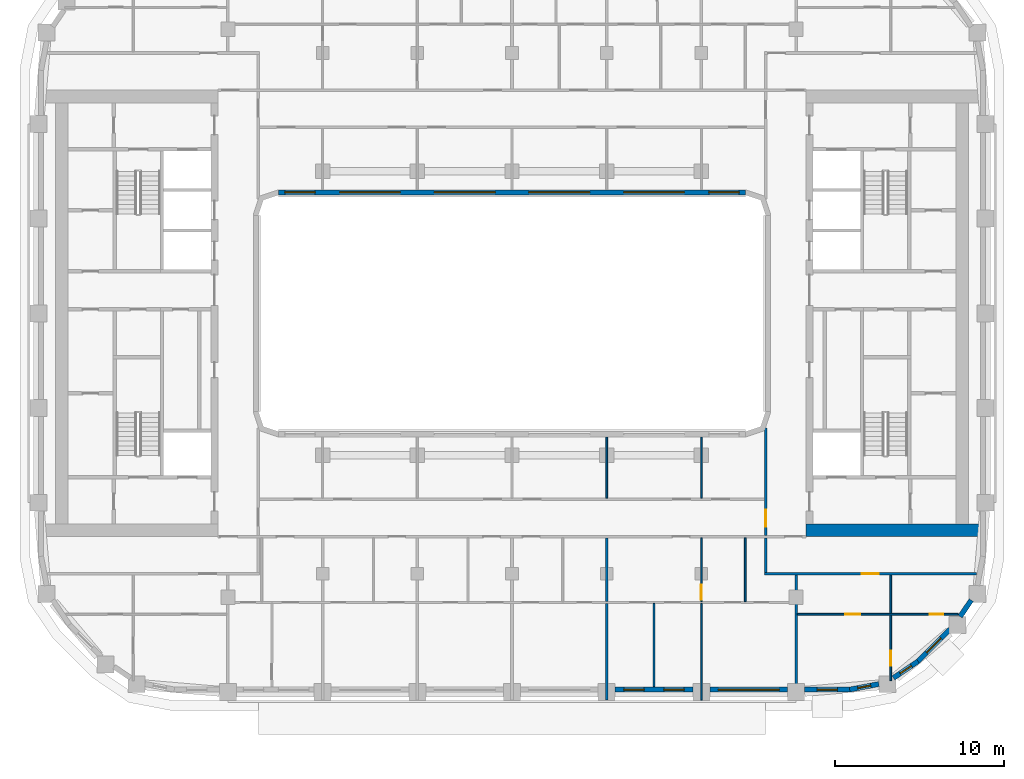
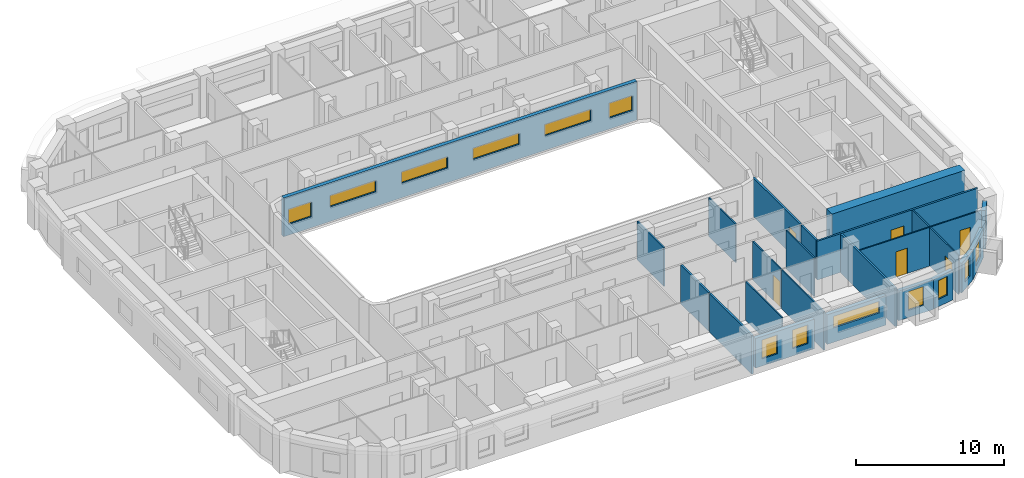
# One storey, part 5 of 22: 24 walls, 13 windows, 6 doors, 19 openings.
"""IFC4 building model written with IfcOpenShell, lengths in metres."""

from ifc_helpers import new_model, si_unit, direction, frame, frame_2d, origin, place, context, subcontext, project, spatial, rectangle, extrude, material, layer, layer_set, type_object, element, fill, save


model = new_model("IFC4")

# Units and contexts
model_context = context("Model", 3, precision=1e-05, world=origin(), true_north=direction((0.0, 1.0)))
body_context = subcontext(model_context, "Body", "Model", "MODEL_VIEW")
ifc_project = project(units=[si_unit("LENGTHUNIT", "METRE"), si_unit("AREAUNIT", "SQUARE_METRE"), si_unit("VOLUMEUNIT", "CUBIC_METRE"), si_unit("PLANEANGLEUNIT", "RADIAN"), si_unit("MASSUNIT", "GRAM", prefix="KILO")], contexts=[model_context])

# Site, building, storey
site_placement = place(None, origin())
site = spatial("IfcSite", under=ifc_project, at=site_placement, CompositionType="ELEMENT")
building_placement = place(site_placement, origin())
building = spatial("IfcBuilding", under=site, at=building_placement, Name="Kiln Ring Residences", CompositionType="ELEMENT")
storey_placement = place(building_placement, frame((0.0, 0.0, 164.10009765625)))
storey = spatial("IfcBuildingStorey", under=building, at=storey_placement, Name="L42", CompositionType="ELEMENT", Elevation=164.10009765625)

# Wall
ifc_material_1 = material(Name="Concrete C60/75", Category="concrete")
ifc_layer_1 = layer(ifc_material_1, 0.75)
ifc_layer_set_1 = layer_set([ifc_layer_1], Name="CORE-WALL-RC750")
wall_type_1 = type_object("IfcWallType", Name="CORE-WALL-RC750", PredefinedType="SHEAR", material=ifc_layer_set_1)
wall_1_placement = place(storey_placement, frame((17.39990234375, -12.824951171875, 0.0), z_axis=(0.0, 0.0, 1.0), x_axis=(1.0, 0.0, 0.0)))
element("IfcWall", 1, at=wall_1_placement, inside=storey, type_object=wall_type_1, Name="Core wall east L42 5", PredefinedType="SHEAR", context=body_context, shape_type="SweptSolid", body=[
    extrude(rectangle(XDim=10.400146484375, YDim=0.75, at=frame_2d((5.2001953125, 0.0))), origin(), (0.0, 0.0, 1.0), 3.199951171875),
])

# Wall, openings, windows
ifc_material_2 = material(Name="Brick masonry, dark clay brick", Category="masonry")
ifc_layer_2 = layer(ifc_material_2, 0.300048828125)
ifc_layer_set_2 = layer_set([ifc_layer_2], Name="EW-300 BRICK WALL")
wall_type_2 = type_object("IfcWallType", Name="EW-300 BRICK WALL", PredefinedType="SOLIDWALL", material=ifc_layer_set_2)
wall_2_placement = place(storey_placement, frame((6.10009765625, -22.25, 0.0), z_axis=(0.0, 0.0, 1.0), x_axis=(1.0, 0.0, 0.0)))
wall_2 = element("IfcWall", 2, at=wall_2_placement, inside=storey, type_object=wall_type_2, Name="Facade wall L42 9", PredefinedType="SOLIDWALL", context=body_context, shape_type="SweptSolid", body=[
    extrude(rectangle(XDim=4.599853515625, YDim=0.300048828125, at=frame_2d((2.2998046875, 0.0))), origin(), (0.0, 0.0, 1.0), 2.449951171875),
])
opening_1_placement = place(wall_2_placement, frame((0.512451171875, 0.0, 0.60009765625)))
opening_1 = element("IfcOpeningElement", 3, at=opening_1_placement, cuts=wall_2, Name="Opening W1", PredefinedType="OPENING", context=body_context, shape_type="SweptSolid", body=[
    extrude(rectangle(XDim=1.199951171875, YDim=1.550048828125, at=frame_2d((0.60009765625, 0.77490234375))), frame((0.0, 0.159912109375, 0.0), z_axis=(0.0, -1.0, 0.0), x_axis=(1.0, 0.0, 0.0)), (0.0, 0.0, 1.0), 0.320068359375),
])
opening_2_placement = place(wall_2_placement, frame((2.887451171875, 0.0, 0.60009765625)))
opening_2 = element("IfcOpeningElement", 4, at=opening_2_placement, cuts=wall_2, Name="Opening W1", PredefinedType="OPENING", context=body_context, shape_type="SweptSolid", body=[
    extrude(rectangle(XDim=1.199951171875, YDim=1.550048828125, at=frame_2d((0.60009765625, 0.77490234375))), frame((0.0, 0.159912109375, 0.0), z_axis=(0.0, -1.0, 0.0), x_axis=(1.0, 0.0, 0.0)), (0.0, 0.0, 1.0), 0.320068359375),
])
ifc_material_3 = material(Name="Aluminium frame with double glazing", Category="aluminium")
window_type_1 = type_object("IfcWindowType", Name="WINDOW 1200 x 1550", PartitioningType="SINGLE_PANEL", PredefinedType="WINDOW", material=ifc_material_3)
window_1_placement = place(opening_1_placement, origin())
window_1 = element("IfcWindow", 5, at=window_1_placement, inside=storey, type_object=window_type_1, Name="Window L42 9", OverallHeight=1.550048828125, OverallWidth=1.199951171875, PartitioningType="SINGLE_PANEL", PredefinedType="WINDOW", context=body_context, shape_type="SweptSolid", body=[
    extrude(rectangle(XDim=1.199951171875, YDim=1.550048828125, at=frame_2d((0.60009765625, 0.77490234375))), frame((0.0, 0.030029296875, 0.0), z_axis=(0.0, -1.0, 0.0), x_axis=(1.0, 0.0, 0.0)), (0.0, 0.0, 1.0), 0.06005859375),
])
fill(opening_1, window_1)
window_2_placement = place(opening_2_placement, origin())
window_2 = element("IfcWindow", 6, at=window_2_placement, inside=storey, type_object=window_type_1, Name="Window L42 10", OverallHeight=1.550048828125, OverallWidth=1.199951171875, PartitioningType="SINGLE_PANEL", PredefinedType="WINDOW", context=body_context, shape_type="SweptSolid", body=[
    extrude(rectangle(XDim=1.199951171875, YDim=1.550048828125, at=frame_2d((0.60009765625, 0.77490234375))), frame((0.0, 0.030029296875, 0.0), z_axis=(0.0, -1.0, 0.0), x_axis=(1.0, 0.0, 0.0)), (0.0, 0.0, 1.0), 0.06005859375),
])
fill(opening_2, window_2)

# Wall, opening, window
wall_3_placement = place(storey_placement, frame((11.699951171875, -22.25, 0.0), z_axis=(0.0, 0.0, 1.0), x_axis=(1.0, 0.0, 0.0)))
wall_3 = element("IfcWall", 7, at=wall_3_placement, inside=storey, type_object=wall_type_2, Name="Facade wall L42 10", PredefinedType="SOLIDWALL", context=body_context, shape_type="SweptSolid", body=[
    extrude(rectangle(XDim=4.60009765625, YDim=0.300048828125, at=frame_2d((2.300048828125, 0.0))), origin(), (0.0, 0.0, 1.0), 2.449951171875),
])
opening_3_placement = place(wall_3_placement, frame((0.5, 0.0, 1.199951171875)))
opening_3 = element("IfcOpeningElement", 8, at=opening_3_placement, cuts=wall_3, Name="Opening W4", PredefinedType="OPENING", context=body_context, shape_type="SweptSolid", body=[
    extrude(rectangle(XDim=3.60009765625, YDim=0.949951171875, at=frame_2d((1.800048828125, 0.47509765625))), frame((0.0, 0.159912109375, 0.0), z_axis=(0.0, -1.0, 0.0), x_axis=(1.0, 0.0, 0.0)), (0.0, 0.0, 1.0), 0.320068359375),
])
ifc_material_4 = material(Name="Aluminium frame with double glazing", Category="aluminium")
window_type_2 = type_object("IfcWindowType", Name="WINDOW 3600 x 950", PartitioningType="SINGLE_PANEL", PredefinedType="WINDOW", material=ifc_material_4)
window_3_placement = place(opening_3_placement, origin())
window_3 = element("IfcWindow", 9, at=window_3_placement, inside=storey, type_object=window_type_2, Name="Window L42 11", OverallHeight=0.949951171875, OverallWidth=3.60009765625, PartitioningType="SINGLE_PANEL", PredefinedType="WINDOW", context=body_context, shape_type="SweptSolid", body=[
    extrude(rectangle(XDim=3.60009765625, YDim=0.949951171875, at=frame_2d((1.800048828125, 0.47509765625))), frame((0.0, 0.030029296875, 0.0), z_axis=(0.0, -1.0, 0.0), x_axis=(1.0, 0.0, 0.0)), (0.0, 0.0, 1.0), 0.06005859375),
])
fill(opening_3, window_3)

wall_4_placement = place(storey_placement, frame((17.300048828125, -22.25, 0.0), z_axis=(0.0, 0.0, 1.0), x_axis=(1.0, 0.0, 0.0)))
wall_4 = element("IfcWall", 10, at=wall_4_placement, inside=storey, type_object=wall_type_2, Name="Facade wall L42 11", PredefinedType="SOLIDWALL", context=body_context, shape_type="SweptSolid", body=[
    extrude(rectangle(XDim=2.699951171875, YDim=0.300048828125, at=frame_2d((1.35009765625, 0.0))), origin(), (0.0, 0.0, 1.0), 2.449951171875),
])
opening_4_placement = place(wall_4_placement, frame((0.75, 0.0, 0.60009765625)))
opening_4 = element("IfcOpeningElement", 11, at=opening_4_placement, cuts=wall_4, Name="Opening W1", PredefinedType="OPENING", context=body_context, shape_type="SweptSolid", body=[
    extrude(rectangle(XDim=1.199951171875, YDim=1.550048828125, at=frame_2d((0.60009765625, 0.77490234375))), frame((0.0, 0.159912109375, 0.0), z_axis=(0.0, -1.0, 0.0), x_axis=(1.0, 0.0, 0.0)), (0.0, 0.0, 1.0), 0.320068359375),
])
window_4_placement = place(opening_4_placement, origin())
window_4 = element("IfcWindow", 12, at=window_4_placement, inside=storey, type_object=window_type_1, Name="Window L42 12", OverallHeight=1.550048828125, OverallWidth=1.199951171875, PartitioningType="SINGLE_PANEL", PredefinedType="WINDOW", context=body_context, shape_type="SweptSolid", body=[
    extrude(rectangle(XDim=1.199951171875, YDim=1.550048828125, at=frame_2d((0.60009765625, 0.77490234375))), frame((0.0, 0.030029296875, 0.0), z_axis=(0.0, -1.0, 0.0), x_axis=(1.0, 0.0, 0.0)), (0.0, 0.0, 1.0), 0.06005859375),
])
fill(opening_4, window_4)

wall_5_placement = place(storey_placement, frame((19.971923828125, -22.252685546875, 0.0), z_axis=(0.0, 0.0, 1.0), x_axis=(0.982284988433, 0.187393173565, 0.0)))
wall_5 = element("IfcWall", 13, at=wall_5_placement, inside=storey, type_object=wall_type_2, Name="Facade wall L42 12", PredefinedType="SOLIDWALL", context=body_context, shape_type="SweptSolid", body=[
    extrude(rectangle(XDim=1.756103515625, YDim=0.300048828125, at=frame_2d((0.8779296875, 0.0))), origin(), (0.0, 0.0, 1.0), 2.449951171875),
])
opening_5_placement = place(wall_5_placement, frame((0.47802734375, 0.0, 0.60009765625)))
opening_5 = element("IfcOpeningElement", 14, at=opening_5_placement, cuts=wall_5, Name="Opening W5", PredefinedType="OPENING", context=body_context, shape_type="SweptSolid", body=[
    extrude(rectangle(XDim=0.800048828125, YDim=1.550048828125, at=frame_2d((0.39990234375, 0.77490234375))), frame((0.0, 0.159912109375, 0.0), z_axis=(0.0, -1.0, 0.0), x_axis=(1.0, 0.0, 0.0)), (0.0, 0.0, 1.0), 0.320068359375),
])
ifc_material_5 = material(Name="Aluminium frame with double glazing", Category="aluminium")
window_type_3 = type_object("IfcWindowType", Name="WINDOW 800 x 1550", PartitioningType="SINGLE_PANEL", PredefinedType="WINDOW", material=ifc_material_5)
window_5_placement = place(opening_5_placement, origin())
window_5 = element("IfcWindow", 15, at=window_5_placement, inside=storey, type_object=window_type_3, Name="Window L42 13", OverallHeight=1.550048828125, OverallWidth=0.800048828125, PartitioningType="SINGLE_PANEL", PredefinedType="WINDOW", context=body_context, shape_type="SweptSolid", body=[
    extrude(rectangle(XDim=0.800048828125, YDim=1.550048828125, at=frame_2d((0.39990234375, 0.77490234375))), frame((0.0, 0.030029296875, 0.0), z_axis=(0.0, -1.0, 0.0), x_axis=(1.0, 0.0, 0.0)), (0.0, 0.0, 1.0), 0.06005859375),
])
fill(opening_5, window_5)

wall_6_placement = place(storey_placement, frame((22.560302734375, -21.56591796875, 0.0), z_axis=(0.0, 0.0, 1.0), x_axis=(0.82707645233, 0.562089443061, 0.0)))
wall_6 = element("IfcWall", 16, at=wall_6_placement, inside=storey, type_object=wall_type_2, Name="Facade wall L42 13", PredefinedType="SOLIDWALL", context=body_context, shape_type="SweptSolid", body=[
    extrude(rectangle(XDim=1.756103515625, YDim=0.300048828125, at=frame_2d((0.8779296875, 0.0))), origin(), (0.0, 0.0, 1.0), 2.449951171875),
])
opening_6_placement = place(wall_6_placement, frame((0.47802734375, 0.0, 0.60009765625)))
opening_6 = element("IfcOpeningElement", 17, at=opening_6_placement, cuts=wall_6, Name="Opening W5", PredefinedType="OPENING", context=body_context, shape_type="SweptSolid", body=[
    extrude(rectangle(XDim=0.800048828125, YDim=1.550048828125, at=frame_2d((0.39990234375, 0.77490234375))), frame((0.0, 0.159912109375, 0.0), z_axis=(0.0, -1.0, 0.0), x_axis=(1.0, 0.0, 0.0)), (0.0, 0.0, 1.0), 0.320068359375),
])
window_6_placement = place(opening_6_placement, origin())
window_6 = element("IfcWindow", 18, at=window_6_placement, inside=storey, type_object=window_type_3, Name="Window L42 14", OverallHeight=1.550048828125, OverallWidth=0.800048828125, PartitioningType="SINGLE_PANEL", PredefinedType="WINDOW", context=body_context, shape_type="SweptSolid", body=[
    extrude(rectangle(XDim=0.800048828125, YDim=1.550048828125, at=frame_2d((0.39990234375, 0.77490234375))), frame((0.0, 0.030029296875, 0.0), z_axis=(0.0, -1.0, 0.0), x_axis=(1.0, 0.0, 0.0)), (0.0, 0.0, 1.0), 0.06005859375),
])
fill(opening_6, window_6)

wall_7_placement = place(storey_placement, frame((23.990966796875, -20.596923828125, 0.0), z_axis=(0.0, 0.0, 1.0), x_axis=(0.707106781187, 0.707106781187, 0.0)))
wall_7 = element("IfcWall", 19, at=wall_7_placement, inside=storey, type_object=wall_type_2, Name="Facade wall L42 14", PredefinedType="SOLIDWALL", context=body_context, shape_type="SweptSolid", body=[
    extrude(rectangle(XDim=2.699951171875, YDim=0.300048828125, at=frame_2d((1.35009765625, 0.0))), origin(), (0.0, 0.0, 1.0), 2.449951171875),
])
opening_7_placement = place(wall_7_placement, frame((0.75, 0.0, 0.60009765625)))
opening_7 = element("IfcOpeningElement", 20, at=opening_7_placement, cuts=wall_7, Name="Opening W1", PredefinedType="OPENING", context=body_context, shape_type="SweptSolid", body=[
    extrude(rectangle(XDim=1.199951171875, YDim=1.550048828125, at=frame_2d((0.60009765625, 0.77490234375))), frame((0.0, 0.159912109375, 0.0), z_axis=(0.0, -1.0, 0.0), x_axis=(1.0, 0.0, 0.0)), (0.0, 0.0, 1.0), 0.320068359375),
])
window_7_placement = place(opening_7_placement, origin())
window_7 = element("IfcWindow", 21, at=window_7_placement, inside=storey, type_object=window_type_1, Name="Window L42 15", OverallHeight=1.550048828125, OverallWidth=1.199951171875, PartitioningType="SINGLE_PANEL", PredefinedType="WINDOW", context=body_context, shape_type="SweptSolid", body=[
    extrude(rectangle(XDim=1.199951171875, YDim=1.550048828125, at=frame_2d((0.60009765625, 0.77490234375))), frame((0.0, 0.030029296875, 0.0), z_axis=(0.0, -1.0, 0.0), x_axis=(1.0, 0.0, 0.0)), (0.0, 0.0, 1.0), 0.06005859375),
])
fill(opening_7, window_7)

# Wall
wall_8_placement = place(storey_placement, frame((26.50439453125, -17.933837890625, 0.0), z_axis=(0.0, 0.0, 1.0), x_axis=(0.562145470373, 0.827038372833, 0.0)))
element("IfcWall", 22, at=wall_8_placement, inside=storey, type_object=wall_type_2, Name="Facade wall L42 15", PredefinedType="SOLIDWALL", context=body_context, shape_type="SweptSolid", body=[
    extrude(rectangle(XDim=1.177001953125, YDim=0.300048828125, at=frame_2d((0.58837890625, 0.0))), origin(), (0.0, 0.0, 1.0), 3.199951171875),
])

# Wall, openings, windows
wall_9_placement = place(storey_placement, frame((-13.800048828125, 7.14990234375, 0.0), z_axis=(0.0, 0.0, 1.0), x_axis=(1.0, 0.0, 0.0)))
wall_9 = element("IfcWall", 23, at=wall_9_placement, inside=storey, type_object=wall_type_2, Name="Facade wall L42 50", PredefinedType="SOLIDWALL", context=body_context, shape_type="SweptSolid", body=[
    extrude(rectangle(XDim=27.60009765625, YDim=0.300048828125, at=frame_2d((13.800048828125, 0.0))), origin(), (0.0, 0.0, 1.0), 3.199951171875),
])
opening_8_placement = place(wall_9_placement, frame((0.362548828125, 0.0, 0.89990234375)))
opening_8 = element("IfcOpeningElement", 24, at=opening_8_placement, cuts=wall_9, Name="Opening W2", PredefinedType="OPENING", context=body_context, shape_type="SweptSolid", body=[
    extrude(rectangle(XDim=1.800048828125, YDim=1.25, at=frame_2d((0.89990234375, 0.625))), frame((0.0, 0.159912109375, 0.0), z_axis=(0.0, -1.0, 0.0), x_axis=(1.0, 0.0, 0.0)), (0.0, 0.0, 1.0), 0.320068359375),
])
opening_9_placement = place(wall_9_placement, frame((3.60009765625, 0.0, 1.199951171875)))
opening_9 = element("IfcOpeningElement", 25, at=opening_9_placement, cuts=wall_9, Name="Opening W4", PredefinedType="OPENING", context=body_context, shape_type="SweptSolid", body=[
    extrude(rectangle(XDim=3.60009765625, YDim=0.949951171875, at=frame_2d((1.800048828125, 0.47509765625))), frame((0.0, 0.159912109375, 0.0), z_axis=(0.0, -1.0, 0.0), x_axis=(1.0, 0.0, 0.0)), (0.0, 0.0, 1.0), 0.320068359375),
])
opening_10_placement = place(wall_9_placement, frame((9.199951171875, 0.0, 1.199951171875)))
opening_10 = element("IfcOpeningElement", 26, at=opening_10_placement, cuts=wall_9, Name="Opening W4", PredefinedType="OPENING", context=body_context, shape_type="SweptSolid", body=[
    extrude(rectangle(XDim=3.60009765625, YDim=0.949951171875, at=frame_2d((1.800048828125, 0.47509765625))), frame((0.0, 0.159912109375, 0.0), z_axis=(0.0, -1.0, 0.0), x_axis=(1.0, 0.0, 0.0)), (0.0, 0.0, 1.0), 0.320068359375),
])
opening_11_placement = place(wall_9_placement, frame((14.800048828125, 0.0, 1.199951171875)))
opening_11 = element("IfcOpeningElement", 27, at=opening_11_placement, cuts=wall_9, Name="Opening W4", PredefinedType="OPENING", context=body_context, shape_type="SweptSolid", body=[
    extrude(rectangle(XDim=3.60009765625, YDim=0.949951171875, at=frame_2d((1.800048828125, 0.47509765625))), frame((0.0, 0.159912109375, 0.0), z_axis=(0.0, -1.0, 0.0), x_axis=(1.0, 0.0, 0.0)), (0.0, 0.0, 1.0), 0.320068359375),
])
opening_12_placement = place(wall_9_placement, frame((20.39990234375, 0.0, 1.199951171875)))
opening_12 = element("IfcOpeningElement", 28, at=opening_12_placement, cuts=wall_9, Name="Opening W4", PredefinedType="OPENING", context=body_context, shape_type="SweptSolid", body=[
    extrude(rectangle(XDim=3.60009765625, YDim=0.949951171875, at=frame_2d((1.800048828125, 0.47509765625))), frame((0.0, 0.159912109375, 0.0), z_axis=(0.0, -1.0, 0.0), x_axis=(1.0, 0.0, 0.0)), (0.0, 0.0, 1.0), 0.320068359375),
])
opening_13_placement = place(wall_9_placement, frame((25.4375, 0.0, 0.89990234375)))
opening_13 = element("IfcOpeningElement", 29, at=opening_13_placement, cuts=wall_9, Name="Opening W2", PredefinedType="OPENING", context=body_context, shape_type="SweptSolid", body=[
    extrude(rectangle(XDim=1.800048828125, YDim=1.25, at=frame_2d((0.89990234375, 0.625))), frame((0.0, 0.159912109375, 0.0), z_axis=(0.0, -1.0, 0.0), x_axis=(1.0, 0.0, 0.0)), (0.0, 0.0, 1.0), 0.320068359375),
])
ifc_material_6 = material(Name="Aluminium frame with double glazing", Category="aluminium")
window_type_4 = type_object("IfcWindowType", Name="WINDOW 1800 x 1250", PartitioningType="SINGLE_PANEL", PredefinedType="WINDOW", material=ifc_material_6)
window_8_placement = place(opening_8_placement, origin())
window_8 = element("IfcWindow", 30, at=window_8_placement, inside=storey, type_object=window_type_4, Name="Window L42 32", OverallHeight=1.25, OverallWidth=1.800048828125, PartitioningType="SINGLE_PANEL", PredefinedType="WINDOW", context=body_context, shape_type="SweptSolid", body=[
    extrude(rectangle(XDim=1.800048828125, YDim=1.25, at=frame_2d((0.89990234375, 0.625))), frame((0.0, 0.030029296875, 0.0), z_axis=(0.0, -1.0, 0.0), x_axis=(1.0, 0.0, 0.0)), (0.0, 0.0, 1.0), 0.06005859375),
])
fill(opening_8, window_8)
window_9_placement = place(opening_13_placement, origin())
window_9 = element("IfcWindow", 31, at=window_9_placement, inside=storey, type_object=window_type_4, Name="Window L42 37", OverallHeight=1.25, OverallWidth=1.800048828125, PartitioningType="SINGLE_PANEL", PredefinedType="WINDOW", context=body_context, shape_type="SweptSolid", body=[
    extrude(rectangle(XDim=1.800048828125, YDim=1.25, at=frame_2d((0.89990234375, 0.625))), frame((0.0, 0.030029296875, 0.0), z_axis=(0.0, -1.0, 0.0), x_axis=(1.0, 0.0, 0.0)), (0.0, 0.0, 1.0), 0.06005859375),
])
fill(opening_13, window_9)
window_10_placement = place(opening_9_placement, origin())
window_10 = element("IfcWindow", 32, at=window_10_placement, inside=storey, type_object=window_type_2, Name="Window L42 33", OverallHeight=0.949951171875, OverallWidth=3.60009765625, PartitioningType="SINGLE_PANEL", PredefinedType="WINDOW", context=body_context, shape_type="SweptSolid", body=[
    extrude(rectangle(XDim=3.60009765625, YDim=0.949951171875, at=frame_2d((1.800048828125, 0.47509765625))), frame((0.0, 0.030029296875, 0.0), z_axis=(0.0, -1.0, 0.0), x_axis=(1.0, 0.0, 0.0)), (0.0, 0.0, 1.0), 0.06005859375),
])
fill(opening_9, window_10)
window_11_placement = place(opening_10_placement, origin())
window_11 = element("IfcWindow", 33, at=window_11_placement, inside=storey, type_object=window_type_2, Name="Window L42 34", OverallHeight=0.949951171875, OverallWidth=3.60009765625, PartitioningType="SINGLE_PANEL", PredefinedType="WINDOW", context=body_context, shape_type="SweptSolid", body=[
    extrude(rectangle(XDim=3.60009765625, YDim=0.949951171875, at=frame_2d((1.800048828125, 0.47509765625))), frame((0.0, 0.030029296875, 0.0), z_axis=(0.0, -1.0, 0.0), x_axis=(1.0, 0.0, 0.0)), (0.0, 0.0, 1.0), 0.06005859375),
])
fill(opening_10, window_11)
window_12_placement = place(opening_11_placement, origin())
window_12 = element("IfcWindow", 34, at=window_12_placement, inside=storey, type_object=window_type_2, Name="Window L42 35", OverallHeight=0.949951171875, OverallWidth=3.60009765625, PartitioningType="SINGLE_PANEL", PredefinedType="WINDOW", context=body_context, shape_type="SweptSolid", body=[
    extrude(rectangle(XDim=3.60009765625, YDim=0.949951171875, at=frame_2d((1.800048828125, 0.47509765625))), frame((0.0, 0.030029296875, 0.0), z_axis=(0.0, -1.0, 0.0), x_axis=(1.0, 0.0, 0.0)), (0.0, 0.0, 1.0), 0.06005859375),
])
fill(opening_11, window_12)
window_13_placement = place(opening_12_placement, origin())
window_13 = element("IfcWindow", 35, at=window_13_placement, inside=storey, type_object=window_type_2, Name="Window L42 36", OverallHeight=0.949951171875, OverallWidth=3.60009765625, PartitioningType="SINGLE_PANEL", PredefinedType="WINDOW", context=body_context, shape_type="SweptSolid", body=[
    extrude(rectangle(XDim=3.60009765625, YDim=0.949951171875, at=frame_2d((1.800048828125, 0.47509765625))), frame((0.0, 0.030029296875, 0.0), z_axis=(0.0, -1.0, 0.0), x_axis=(1.0, 0.0, 0.0)), (0.0, 0.0, 1.0), 0.06005859375),
])
fill(opening_12, window_13)

# Wall, openings, doors
ifc_material_7 = material(Name="Gypsum board on steel studs", Category="steel")
ifc_layer_3 = layer(ifc_material_7, 0.10009765625)
ifc_layer_set_3 = layer_set([ifc_layer_3], Name="PARTITION-100")
wall_type_3 = type_object("IfcWallType", Name="PARTITION-100", PredefinedType="PARTITIONING", material=ifc_layer_set_3)
wall_10_placement = place(storey_placement, frame((16.875, -17.800048828125, 0.0), z_axis=(0.0, 0.0, 1.0), x_axis=(1.0, 0.0, 0.0)))
wall_10 = element("IfcWall", 36, at=wall_10_placement, inside=storey, type_object=wall_type_3, Name="Partition 001", PredefinedType="PARTITIONING", context=body_context, shape_type="SweptSolid", body=[
    extrude(rectangle(XDim=9.51904296875, YDim=0.10009765625, at=frame_2d((4.759521484375, 0.0))), origin(), (0.0, 0.0, 1.0), 3.199951171875),
])
opening_14_placement = place(wall_10_placement, frame((7.843017578125, 0.0, 0.0)))
opening_14 = element("IfcOpeningElement", 37, at=opening_14_placement, cuts=wall_10, Name="Opening L42-D067", PredefinedType="OPENING", context=body_context, shape_type="SweptSolid", body=[
    extrude(rectangle(XDim=0.800048828125, YDim=2.10009765625, at=frame_2d((0.39990234375, 1.050048828125))), frame((0.0, 0.06005859375, 0.0), z_axis=(0.0, -1.0, 0.0), x_axis=(1.0, 0.0, 0.0)), (0.0, 0.0, 1.0), 0.1201171875),
])
opening_15_placement = place(wall_10_placement, frame((2.824951171875, 0.0, 0.0)))
opening_15 = element("IfcOpeningElement", 38, at=opening_15_placement, cuts=wall_10, Name="Opening L42-D068", PredefinedType="OPENING", context=body_context, shape_type="SweptSolid", body=[
    extrude(rectangle(XDim=0.89990234375, YDim=2.10009765625, at=frame_2d((0.449951171875, 1.050048828125))), frame((0.0, 0.06005859375, 0.0), z_axis=(0.0, -1.0, 0.0), x_axis=(1.0, 0.0, 0.0)), (0.0, 0.0, 1.0), 0.1201171875),
])
ifc_material_8 = material(Name="Timber door leaf", Category="wood")
door_type_1 = type_object("IfcDoorType", Name="FLAT-DOOR-800-PL", OperationType="SINGLE_SWING_LEFT", PredefinedType="DOOR", material=ifc_material_8)
door_1_placement = place(opening_14_placement, origin())
door_1 = element("IfcDoor", 39, at=door_1_placement, inside=storey, type_object=door_type_1, Name="Door L42-D067", OperationType="SINGLE_SWING_LEFT", OverallHeight=2.10009765625, OverallWidth=0.800048828125, PredefinedType="DOOR", context=body_context, shape_type="SweptSolid", body=[
    extrude(rectangle(XDim=0.800048828125, YDim=2.10009765625, at=frame_2d((0.39990234375, 1.050048828125))), frame((0.0, 0.02490234375, 0.0), z_axis=(0.0, -1.0, 0.0), x_axis=(1.0, 0.0, 0.0)), (0.0, 0.0, 1.0), 0.050048828125),
])
fill(opening_14, door_1)
ifc_material_9 = material(Name="Timber door leaf", Category="wood")
door_type_2 = type_object("IfcDoorType", Name="FLAT-DOOR-900-PL", OperationType="SINGLE_SWING_LEFT", PredefinedType="DOOR", material=ifc_material_9)
door_2_placement = place(opening_15_placement, origin())
door_2 = element("IfcDoor", 40, at=door_2_placement, inside=storey, type_object=door_type_2, Name="Door L42-D068", OperationType="SINGLE_SWING_RIGHT", OverallHeight=2.10009765625, OverallWidth=0.89990234375, PredefinedType="DOOR", context=body_context, shape_type="SweptSolid", body=[
    extrude(rectangle(XDim=0.89990234375, YDim=2.10009765625, at=frame_2d((0.449951171875, 1.050048828125))), frame((0.0, 0.02490234375, 0.0), z_axis=(0.0, -1.0, 0.0), x_axis=(1.0, 0.0, 0.0)), (0.0, 0.0, 1.0), 0.050048828125),
])
fill(opening_15, door_2)

# Walls
wall_11_placement = place(storey_placement, frame((5.60009765625, -10.925048828125, 0.0), z_axis=(0.0, 0.0, 1.0), x_axis=(0.0, 1.0, 0.0)))
element("IfcWall", 41, at=wall_11_placement, inside=storey, type_object=wall_type_3, Name="Partition 050", PredefinedType="PARTITIONING", context=body_context, shape_type="SweptSolid", body=[
    extrude(rectangle(XDim=3.60498046875, YDim=0.10009765625, at=frame_2d((1.802490234375, 0.0))), origin(), (0.0, 0.0, 1.0), 3.199951171875),
])
wall_12_placement = place(storey_placement, frame((8.39990234375, -22.080078125, 0.0), z_axis=(0.0, 0.0, 1.0), x_axis=(0.0, 1.0, 0.0)))
element("IfcWall", 42, at=wall_12_placement, inside=storey, type_object=wall_type_3, Name="Partition 056", PredefinedType="PARTITIONING", context=body_context, shape_type="SweptSolid", body=[
    extrude(rectangle(XDim=4.93017578125, YDim=0.10009765625, at=frame_2d((2.465087890625, 0.0))), origin(), (0.0, 0.0, 1.0), 3.199951171875),
])
wall_13_placement = place(storey_placement, frame((11.199951171875, -22.8798828125, 0.0), z_axis=(0.0, 0.0, 1.0), x_axis=(0.0, 1.0, 0.0)))
element("IfcWall", 43, at=wall_13_placement, inside=storey, type_object=wall_type_3, Name="Partition 059", PredefinedType="PARTITIONING", context=body_context, shape_type="SweptSolid", body=[
    extrude(rectangle(XDim=5.72998046875, YDim=0.10009765625, at=frame_2d((2.864990234375, 0.0))), origin(), (0.0, 0.0, 1.0), 3.199951171875),
])

# Wall, opening, door
wall_14_placement = place(storey_placement, frame((11.199951171875, -17.050048828125, 0.0), z_axis=(0.0, 0.0, 1.0), x_axis=(0.0, 1.0, 0.0)))
wall_14 = element("IfcWall", 44, at=wall_14_placement, inside=storey, type_object=wall_type_3, Name="Partition 060", PredefinedType="PARTITIONING", context=body_context, shape_type="SweptSolid", body=[
    extrude(rectangle(XDim=3.775146484375, YDim=0.10009765625, at=frame_2d((1.8876953125, 0.0))), origin(), (0.0, 0.0, 1.0), 3.199951171875),
])
opening_16_placement = place(wall_14_placement, frame((0.10009765625, 0.0, 0.0)))
opening_16 = element("IfcOpeningElement", 45, at=opening_16_placement, cuts=wall_14, Name="Opening L42-D061", PredefinedType="OPENING", context=body_context, shape_type="SweptSolid", body=[
    extrude(rectangle(XDim=0.89990234375, YDim=2.10009765625, at=frame_2d((0.449951171875, 1.050048828125))), frame((0.0, 0.06005859375, 0.0), z_axis=(0.0, -1.0, 0.0), x_axis=(1.0, 0.0, 0.0)), (0.0, 0.0, 1.0), 0.1201171875),
])
door_3_placement = place(opening_16_placement, origin())
door_3 = element("IfcDoor", 46, at=door_3_placement, inside=storey, type_object=door_type_2, Name="Door L42-D061", OperationType="SINGLE_SWING_LEFT", OverallHeight=2.10009765625, OverallWidth=0.89990234375, PredefinedType="DOOR", context=body_context, shape_type="SweptSolid", body=[
    extrude(rectangle(XDim=0.89990234375, YDim=2.10009765625, at=frame_2d((0.449951171875, 1.050048828125))), frame((0.0, 0.02490234375, 0.0), z_axis=(0.0, -1.0, 0.0), x_axis=(1.0, 0.0, 0.0)), (0.0, 0.0, 1.0), 0.050048828125),
])
fill(opening_16, door_3)

# Walls
wall_15_placement = place(storey_placement, frame((11.199951171875, -10.925048828125, 0.0), z_axis=(0.0, 0.0, 1.0), x_axis=(0.0, 1.0, 0.0)))
element("IfcWall", 47, at=wall_15_placement, inside=storey, type_object=wall_type_3, Name="Partition 061", PredefinedType="PARTITIONING", context=body_context, shape_type="SweptSolid", body=[
    extrude(rectangle(XDim=3.60498046875, YDim=0.10009765625, at=frame_2d((1.802490234375, 0.0))), origin(), (0.0, 0.0, 1.0), 3.199951171875),
])
wall_16_placement = place(storey_placement, frame((13.800048828125, -17.050048828125, 0.0), z_axis=(0.0, 0.0, 1.0), x_axis=(0.0, 1.0, 0.0)))
element("IfcWall", 48, at=wall_16_placement, inside=storey, type_object=wall_type_3, Name="Partition 065", PredefinedType="PARTITIONING", context=body_context, shape_type="SweptSolid", body=[
    extrude(rectangle(XDim=3.775146484375, YDim=0.10009765625, at=frame_2d((1.8876953125, 0.0))), origin(), (0.0, 0.0, 1.0), 3.199951171875),
])

# Wall, opening, door
wall_17_placement = place(storey_placement, frame((22.39990234375, -21.719970703125, 0.0), z_axis=(0.0, 0.0, 1.0), x_axis=(0.0, 1.0, 0.0)))
wall_17 = element("IfcWall", 49, at=wall_17_placement, inside=storey, type_object=wall_type_3, Name="Partition 073", PredefinedType="PARTITIONING", context=body_context, shape_type="SweptSolid", body=[
    extrude(rectangle(XDim=3.869873046875, YDim=0.10009765625, at=frame_2d((1.93505859375, 0.0))), origin(), (0.0, 0.0, 1.0), 3.199951171875),
])
opening_17_placement = place(wall_17_placement, frame((0.8720703125, 0.0, 0.0)))
opening_17 = element("IfcOpeningElement", 50, at=opening_17_placement, cuts=wall_17, Name="Opening L42-D069", PredefinedType="OPENING", context=body_context, shape_type="SweptSolid", body=[
    extrude(rectangle(XDim=0.89990234375, YDim=2.10009765625, at=frame_2d((0.449951171875, 1.050048828125))), frame((0.0, 0.06005859375, 0.0), z_axis=(0.0, -1.0, 0.0), x_axis=(1.0, 0.0, 0.0)), (0.0, 0.0, 1.0), 0.1201171875),
])
door_4_placement = place(opening_17_placement, origin())
door_4 = element("IfcDoor", 51, at=door_4_placement, inside=storey, type_object=door_type_2, Name="Door L42-D069", OperationType="SINGLE_SWING_LEFT", OverallHeight=2.10009765625, OverallWidth=0.89990234375, PredefinedType="DOOR", context=body_context, shape_type="SweptSolid", body=[
    extrude(rectangle(XDim=0.89990234375, YDim=2.10009765625, at=frame_2d((0.449951171875, 1.050048828125))), frame((0.0, 0.02490234375, 0.0), z_axis=(0.0, -1.0, 0.0), x_axis=(1.0, 0.0, 0.0)), (0.0, 0.0, 1.0), 0.050048828125),
])
fill(opening_17, door_4)

# Wall
wall_18_placement = place(storey_placement, frame((22.39990234375, -17.75, 0.0), z_axis=(0.0, 0.0, 1.0), x_axis=(0.0, 1.0, 0.0)))
element("IfcWall", 52, at=wall_18_placement, inside=storey, type_object=wall_type_3, Name="Partition 074", PredefinedType="PARTITIONING", context=body_context, shape_type="SweptSolid", body=[
    extrude(rectangle(XDim=2.27490234375, YDim=0.10009765625, at=frame_2d((1.137451171875, 0.0))), origin(), (0.0, 0.0, 1.0), 3.199951171875),
])

# Wall, opening, door
ifc_material_10 = material(Name="Brick masonry partition", Category="masonry")
ifc_layer_4 = layer(ifc_material_10, 0.14990234375)
ifc_layer_set_4 = layer_set([ifc_layer_4], Name="PARTITION-150-ei60")
wall_type_4 = type_object("IfcWallType", Name="PARTITION-150-ei60", PredefinedType="PARTITIONING", material=ifc_layer_set_4)
wall_19_placement = place(storey_placement, frame((14.925048828125, -15.39990234375, 0.0), z_axis=(0.0, 0.0, 1.0), x_axis=(1.0, 0.0, 0.0)))
wall_19 = element("IfcWall", 53, at=wall_19_placement, inside=storey, type_object=wall_type_4, Name="Partition 004", PredefinedType="PARTITIONING", context=body_context, shape_type="SweptSolid", body=[
    extrude(rectangle(XDim=12.558837890625, YDim=0.14990234375, at=frame_2d((6.279296875, 0.0))), origin(), (0.0, 0.0, 1.0), 3.199951171875),
])
opening_18_placement = place(wall_19_placement, frame((5.77490234375, 0.0, 0.0)))
opening_18 = element("IfcOpeningElement", 54, at=opening_18_placement, cuts=wall_19, Name="Opening L42-D066", PredefinedType="OPENING", context=body_context, shape_type="SweptSolid", body=[
    extrude(rectangle(XDim=1.0, YDim=2.10009765625, at=frame_2d((0.5, 1.050048828125))), frame((0.0, 0.0849609375, 0.0), z_axis=(0.0, -1.0, 0.0), x_axis=(1.0, 0.0, 0.0)), (0.0, 0.0, 1.0), 0.169921875),
])
ifc_material_11 = material(Name="Steel faced fire door leaf", Category="steel")
door_type_3 = type_object("IfcDoorType", Name="FLAT-DOOR-1000-FR", OperationType="SINGLE_SWING_LEFT", PredefinedType="DOOR", material=ifc_material_11)
door_5_placement = place(opening_18_placement, origin())
door_5 = element("IfcDoor", 55, at=door_5_placement, inside=storey, type_object=door_type_3, Name="Door L42-D066", OperationType="SINGLE_SWING_RIGHT", OverallHeight=2.10009765625, OverallWidth=1.0, PredefinedType="DOOR", context=body_context, shape_type="SweptSolid", body=[
    extrude(rectangle(XDim=1.0, YDim=2.10009765625, at=frame_2d((0.5, 1.050048828125))), frame((0.0, 0.02490234375, 0.0), z_axis=(0.0, -1.0, 0.0), x_axis=(1.0, 0.0, 0.0)), (0.0, 0.0, 1.0), 0.050048828125),
])
fill(opening_18, door_5)

# Walls
wall_20_placement = place(storey_placement, frame((5.60009765625, -22.8798828125, 0.0), z_axis=(0.0, 0.0, 1.0), x_axis=(0.0, 1.0, 0.0)))
element("IfcWall", 56, at=wall_20_placement, inside=storey, type_object=wall_type_4, Name="Partition 052", PredefinedType="PARTITIONING", context=body_context, shape_type="SweptSolid", body=[
    extrude(rectangle(XDim=5.72998046875, YDim=0.14990234375, at=frame_2d((2.864990234375, 0.0))), origin(), (0.0, 0.0, 1.0), 3.199951171875),
])
wall_21_placement = place(storey_placement, frame((5.60009765625, -17.050048828125, 0.0), z_axis=(0.0, 0.0, 1.0), x_axis=(0.0, 1.0, 0.0)))
element("IfcWall", 57, at=wall_21_placement, inside=storey, type_object=wall_type_4, Name="Partition 053", PredefinedType="PARTITIONING", context=body_context, shape_type="SweptSolid", body=[
    extrude(rectangle(XDim=3.775146484375, YDim=0.14990234375, at=frame_2d((1.8876953125, 0.0))), origin(), (0.0, 0.0, 1.0), 3.199951171875),
])
wall_22_placement = place(storey_placement, frame((15.0, -15.324951171875, 0.0), z_axis=(0.0, 0.0, 1.0), x_axis=(0.0, 1.0, 0.0)))
element("IfcWall", 58, at=wall_22_placement, inside=storey, type_object=wall_type_4, Name="Partition 067", PredefinedType="PARTITIONING", context=body_context, shape_type="SweptSolid", body=[
    extrude(rectangle(XDim=2.050048828125, YDim=0.14990234375, at=frame_2d((1.02490234375, 0.0))), origin(), (0.0, 0.0, 1.0), 3.199951171875),
])

# Wall, opening, door
wall_23_placement = place(storey_placement, frame((15.0, -13.125, 0.0), z_axis=(0.0, 0.0, 1.0), x_axis=(0.0, 1.0, 0.0)))
wall_23 = element("IfcWall", 59, at=wall_23_placement, inside=storey, type_object=wall_type_4, Name="Partition 068", PredefinedType="PARTITIONING", context=body_context, shape_type="SweptSolid", body=[
    extrude(rectangle(XDim=6.356201171875, YDim=0.14990234375, at=frame_2d((3.17822265625, 0.0))), origin(), (0.0, 0.0, 1.0), 3.199951171875),
])
opening_19_placement = place(wall_23_placement, frame((0.49609375, 0.0, 0.0)))
opening_19 = element("IfcOpeningElement", 60, at=opening_19_placement, cuts=wall_23, Name="Opening L42-D006", PredefinedType="OPENING", context=body_context, shape_type="SweptSolid", body=[
    extrude(rectangle(XDim=1.0, YDim=2.10009765625, at=frame_2d((0.5, 1.050048828125))), frame((0.0, 0.0849609375, 0.0), z_axis=(0.0, -1.0, 0.0), x_axis=(1.0, 0.0, 0.0)), (0.0, 0.0, 1.0), 0.169921875),
])
door_6_placement = place(opening_19_placement, origin())
door_6 = element("IfcDoor", 61, at=door_6_placement, inside=storey, type_object=door_type_3, Name="Door L42-D006", OperationType="SINGLE_SWING_LEFT", OverallHeight=2.10009765625, OverallWidth=1.0, PredefinedType="DOOR", context=body_context, shape_type="SweptSolid", body=[
    extrude(rectangle(XDim=1.0, YDim=2.10009765625, at=frame_2d((0.5, 1.050048828125))), frame((0.0, 0.02490234375, 0.0), z_axis=(0.0, -1.0, 0.0), x_axis=(1.0, 0.0, 0.0)), (0.0, 0.0, 1.0), 0.050048828125),
])
fill(opening_19, door_6)

# Wall
wall_24_placement = place(storey_placement, frame((16.800048828125, -22.8798828125, 0.0), z_axis=(0.0, 0.0, 1.0), x_axis=(0.0, 1.0, 0.0)))
element("IfcWall", 62, at=wall_24_placement, inside=storey, type_object=wall_type_4, Name="Partition 071", PredefinedType="PARTITIONING", context=body_context, shape_type="SweptSolid", body=[
    extrude(rectangle(XDim=7.40478515625, YDim=0.14990234375, at=frame_2d((3.702392578125, 0.0))), origin(), (0.0, 0.0, 1.0), 3.199951171875),
])

save(model, "model.ifc")
